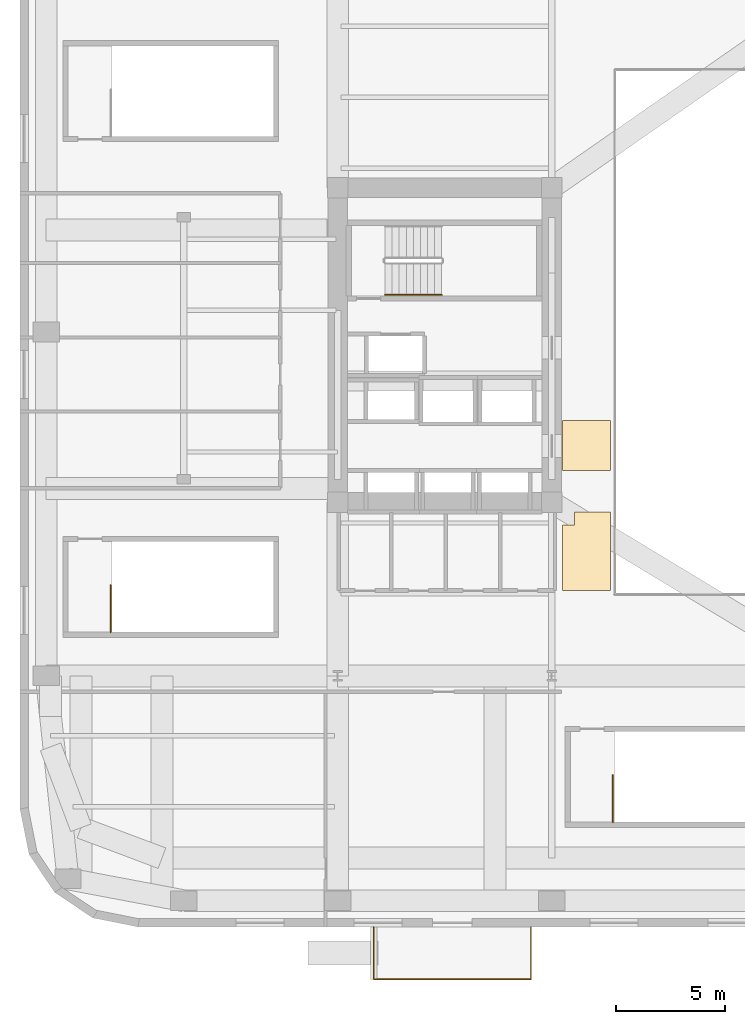
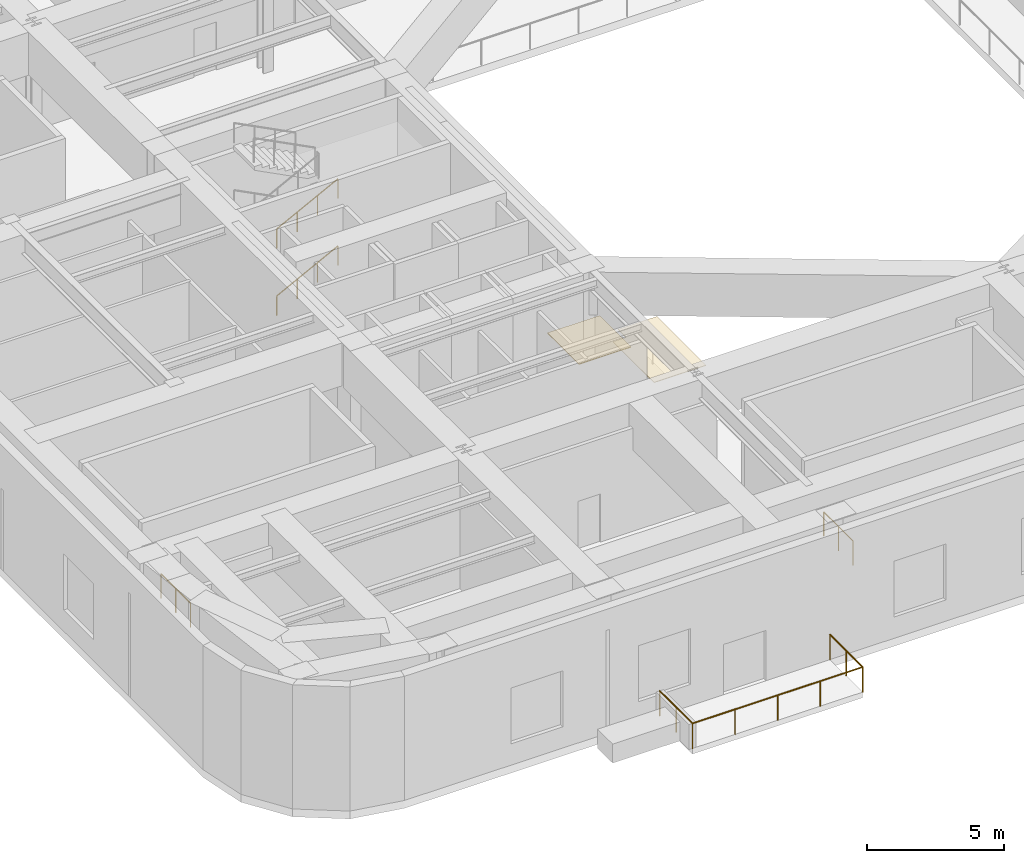
# One storey, part 13 of 16: 5 railings, 2 coverings.
"""IFC4 building model written with IfcOpenShell, lengths in metres."""

from ifc_helpers import new_model, si_unit, direction, frame, origin, origin_2d, place, context, subcontext, project, spatial, polyline, circle, outline, extrude, material, layer, layer_set, type_object, element, save


model = new_model("IFC4")

# Units and contexts
model_context = context("Model", 3, precision=1e-05, world=origin(), true_north=direction((0.0, 1.0)))
body_context = subcontext(model_context, "Body", "Model", "MODEL_VIEW")
ifc_project = project(units=[si_unit("LENGTHUNIT", "METRE"), si_unit("AREAUNIT", "SQUARE_METRE"), si_unit("VOLUMEUNIT", "CUBIC_METRE"), si_unit("PLANEANGLEUNIT", "RADIAN"), si_unit("MASSUNIT", "GRAM", prefix="KILO")], contexts=[model_context])

# Site, building, storey
site_placement = place(None, origin())
site = spatial("IfcSite", under=ifc_project, at=site_placement, CompositionType="ELEMENT")
building_placement = place(site_placement, origin())
building = spatial("IfcBuilding", under=site, at=building_placement, Name="Kolvaren Arena Tower", CompositionType="ELEMENT")
storey_placement = place(building_placement, frame((0.0, 0.0, 28.0)))
storey = spatial("IfcBuildingStorey", under=building, at=storey_placement, Name="L05", CompositionType="ELEMENT", Elevation=28.0)

# Coverings
ifc_material_1 = material(Name="Mineral fibre acoustic ceiling tile", Category="gypsum")
ifc_layer_1 = layer(ifc_material_1, 0.02490234375)
ifc_layer_set_1 = layer_set([ifc_layer_1], Name="Mineral fibre acoustic ceiling tile")
covering_type_1 = type_object("IfcCoveringType", Name="CEIL-ACT-1", PredefinedType="CEILING", material=ifc_layer_set_1)
covering_1_placement = place(storey_placement, frame((0.0, 0.0, 2.52001953125)))
element("IfcCovering", 1, at=covering_1_placement, inside=storey, type_object=covering_type_1, Name="Suspended Ceiling (L05)", PredefinedType="CEILING", context=body_context, shape_type="SweptSolid", body=[
    extrude(outline(polyline([(27.050048828125, 19.0), (27.050048828125, 15.39990234375), (24.85009765625, 15.39990234375), (24.85009765625, 18.39990234375), (25.39990234375, 18.39990234375), (25.39990234375, 19.0), (27.050048828125, 19.0)])), origin(), (0.0, 0.0, 1.0), 0.02490234375),
])
ifc_material_2 = material(Name="Polished granite terrazzo flooring", Category="masonry")
ifc_layer_2 = layer(ifc_material_2, 0.034912109375)
ifc_layer_set_2 = layer_set([ifc_layer_2], Name="Polished granite terrazzo flooring")
covering_type_2 = type_object("IfcCoveringType", Name="FLOR-TRZ-1", PredefinedType="FLOORING", material=ifc_layer_set_2)
covering_2_placement = place(storey_placement, origin())
element("IfcCovering", 2, at=covering_2_placement, inside=storey, type_object=covering_type_2, Name="Floor Finish (L05)", PredefinedType="FLOORING", context=body_context, shape_type="SweptSolid", body=[
    extrude(outline(polyline([(24.85009765625, 20.89990234375), (24.85009765625, 23.199951171875), (27.050048828125, 23.199951171875), (27.050048828125, 20.89990234375), (24.85009765625, 20.89990234375)])), origin(), (0.0, 0.0, 1.0), 0.034912109375),
])

# Railings
ifc_material_3 = material(Name="Painted galvanized steel", Category="steel")
railing_type_1 = type_object("IfcRailingType", Name="GUARD-ST-110", PredefinedType="GUARDRAIL", material=ifc_material_3)
for number, where, name in (
    (3, (4.14990234375, 13.5, 0.0), "L05 ST-A1 top well guard 1"),
    (4, (27.14990234375, 4.800048828125, 0.0), "L05 ST-A2 top well guard 1"),
):
    element("IfcRailing", number, at=place(storey_placement, frame(where)), inside=storey, type_object=railing_type_1, Name=name, PredefinedType="GUARDRAIL", context=body_context, shape_type="SweptSolid", body=[
        extrude(circle(Radius=0.02392578125, at=origin_2d()), frame((0.0, 0.0, 1.076171875), z_axis=(0.0, 1.0, 0.0), x_axis=(-1.0, 0.0, 0.0)), (0.0, 0.0, 1.0), 2.14990234375),
        extrude(circle(Radius=0.02099609375, at=origin_2d()), origin(), (0.0, 0.0, 1.0), 1.052001953125),
        extrude(circle(Radius=0.02099609375, at=origin_2d()), frame((0.0, 1.074951171875, 0.0)), (0.0, 0.0, 1.0), 1.052001953125),
        extrude(circle(Radius=0.02099609375, at=origin_2d()), frame((0.0, 2.14990234375, 0.0)), (0.0, 0.0, 1.0), 1.052001953125),
    ])
ifc_material_4 = material(Name="Stainless steel and laminated glass guard", Category="steel")
railing_type_2 = type_object("IfcRailingType", Name="GUARD-TER-115", PredefinedType="BALUSTRADE", material=ifc_material_4)
railing_placement = place(storey_placement, frame((16.199951171875, 0.0, 0.0)))
element("IfcRailing", 5, at=railing_placement, inside=storey, type_object=railing_type_2, Name="Setback Terrace Perimeter Guardrail (L05)", PredefinedType="BALUSTRADE", context=body_context, shape_type="SweptSolid", body=[
    extrude(circle(Radius=0.030029296875, at=origin_2d()), frame((0.0, 0.0, 1.119873046875), z_axis=(0.0, -1.0, 0.0), x_axis=(1.0, 0.0, 0.0)), (0.0, 0.0, 1.0), 2.39990234375),
    extrude(circle(Radius=0.030029296875, at=origin_2d()), frame((0.0, -2.39990234375, 1.119873046875), z_axis=(1.0, 0.0, 0.0), x_axis=(0.0, 1.0, 0.0)), (0.0, 0.0, 1.0), 7.199951171875),
    extrude(circle(Radius=0.030029296875, at=origin_2d()), frame((7.199951171875, -2.39990234375, 1.119873046875), z_axis=(0.0, 1.0, 0.0), x_axis=(-1.0, 0.0, 0.0)), (0.0, 0.0, 1.0), 2.39990234375),
    extrude(circle(Radius=0.02490234375, at=origin_2d()), origin(), (0.0, 0.0, 1.0), 1.08984375),
    extrude(circle(Radius=0.02490234375, at=origin_2d()), frame((0.0, -1.199951171875, 0.0)), (0.0, 0.0, 1.0), 1.08984375),
    extrude(circle(Radius=0.02490234375, at=origin_2d()), frame((0.0, -2.39990234375, 0.0)), (0.0, 0.0, 1.0), 1.08984375),
    extrude(circle(Radius=0.02490234375, at=origin_2d()), frame((1.800048828125, -2.39990234375, 0.0)), (0.0, 0.0, 1.0), 1.08984375),
    extrude(circle(Radius=0.02490234375, at=origin_2d()), frame((3.60009765625, -2.39990234375, 0.0)), (0.0, 0.0, 1.0), 1.08984375),
    extrude(circle(Radius=0.02490234375, at=origin_2d()), frame((5.39990234375, -2.39990234375, 0.0)), (0.0, 0.0, 1.0), 1.08984375),
    extrude(circle(Radius=0.02490234375, at=origin_2d()), frame((7.199951171875, -2.39990234375, 0.0)), (0.0, 0.0, 1.0), 1.08984375),
    extrude(circle(Radius=0.02490234375, at=origin_2d()), frame((7.199951171875, -1.199951171875, 0.0)), (0.0, 0.0, 1.0), 1.08984375),
    extrude(circle(Radius=0.02490234375, at=origin_2d()), frame((7.199951171875, 0.0, 0.0)), (0.0, 0.0, 1.0), 1.08984375),
])
ifc_material_5 = material(Name="Brushed stainless steel handrail", Category="steel")
railing_type_3 = type_object("IfcRailingType", Name="HRAIL-900", PredefinedType="HANDRAIL", material=ifc_material_5)
for number, where, name in (
    (6, (16.719970703125, 28.949951171875, 0.166748046875), "L05 ST-W1 stair handrail 1"),
    (7, (16.719970703125, 28.949951171875, 3.166748046875), "L05 ST-W1 stair handrail 3"),
):
    element("IfcRailing", number, at=place(storey_placement, frame(where)), inside=storey, type_object=railing_type_3, Name=name, PredefinedType="HANDRAIL", context=body_context, shape_type="SweptSolid", body=[
        extrude(circle(Radius=0.02392578125, at=origin_2d()), frame((0.0, 0.0, 0.8759765625), z_axis=(0.889259574853, 0.0, 0.457402895194), x_axis=(0.0, 1.0, 0.0)), (0.0, 0.0, 1.0), 2.914794921875),
        extrude(circle(Radius=0.02099609375, at=origin_2d()), origin(), (0.0, 0.0, 1.0), 0.851806640625),
        extrude(circle(Radius=0.02099609375, at=origin_2d()), frame((0.864013671875, 0.0, 0.4443359375)), (0.0, 0.0, 1.0), 0.851806640625),
        extrude(circle(Radius=0.02099609375, at=origin_2d()), frame((1.72802734375, 0.0, 0.888916015625)), (0.0, 0.0, 1.0), 0.851806640625),
        extrude(circle(Radius=0.02099609375, at=origin_2d()), frame((2.592041015625, 0.0, 1.333251953125)), (0.0, 0.0, 1.0), 0.851806640625),
    ])

save(model, "model.ifc")
